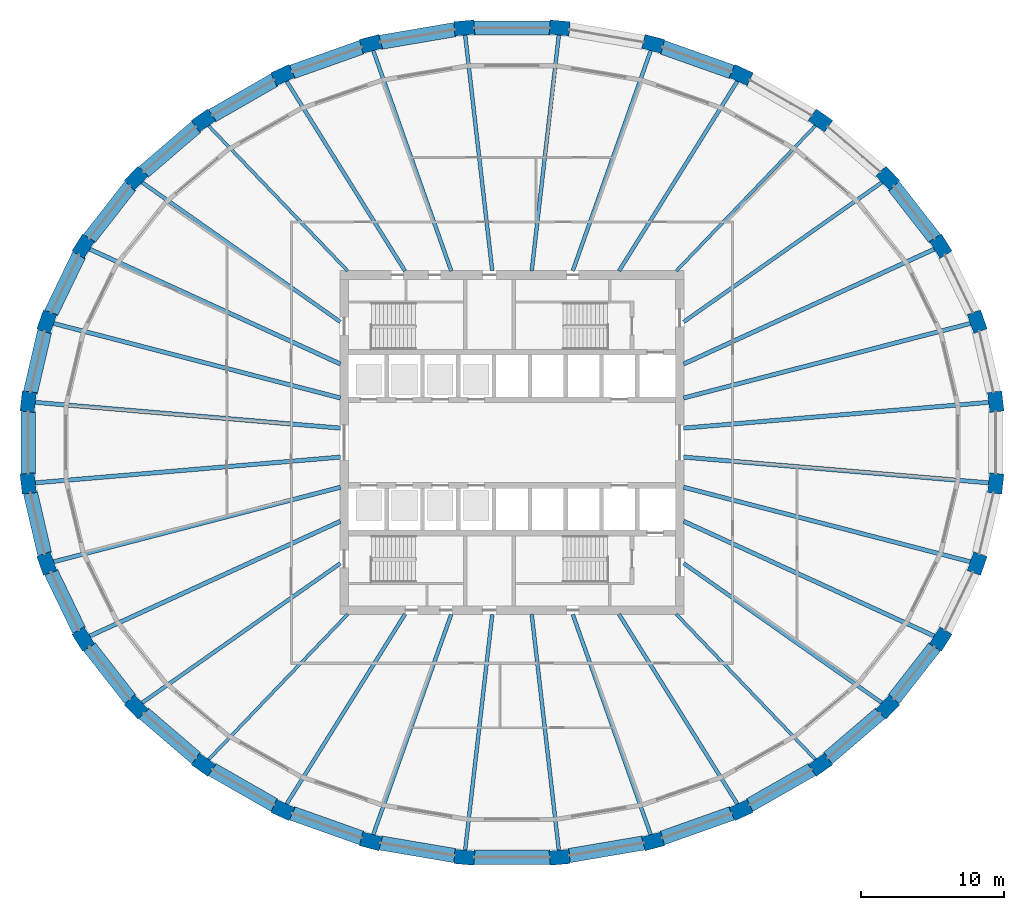
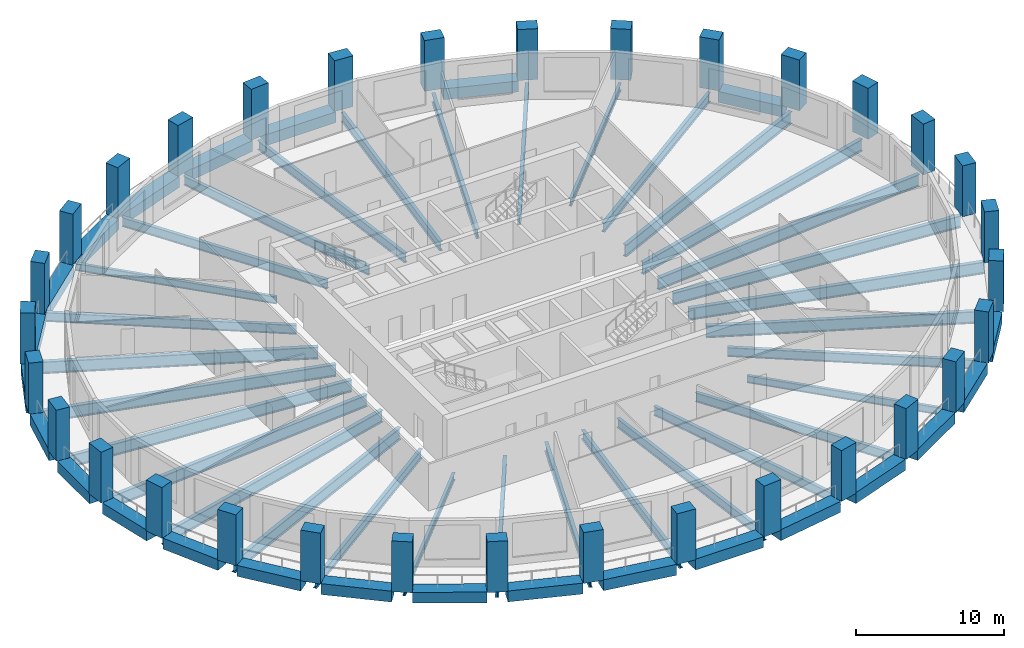
# One storey, part 1 of 10: 56 beams, 32 columns.
"""IFC4 building model written with IfcOpenShell, lengths in metres."""

from ifc_helpers import new_model, si_unit, direction, frame, origin, origin_2d, place, context, subcontext, project, spatial, rectangle, i_section, extrude, material, material_profile, profile_set, type_object, element, save


model = new_model("IFC4")

# Units and contexts
model_context = context("Model", 3, precision=1e-05, world=origin(), true_north=direction((0.0, 1.0)))
body_context = subcontext(model_context, "Body", "Model", "MODEL_VIEW")
ifc_project = project(units=[si_unit("LENGTHUNIT", "METRE"), si_unit("AREAUNIT", "SQUARE_METRE"), si_unit("VOLUMEUNIT", "CUBIC_METRE"), si_unit("PLANEANGLEUNIT", "RADIAN"), si_unit("MASSUNIT", "GRAM", prefix="KILO")], contexts=[model_context])

# Site, building, storey
site_placement = place(None, origin())
site = spatial("IfcSite", under=ifc_project, at=site_placement, CompositionType="ELEMENT")
building_placement = place(site_placement, origin())
building = spatial("IfcBuilding", under=site, at=building_placement, Name="Halqa Exchange Tower", CompositionType="ELEMENT")
storey_placement = place(building_placement, frame((0.0, 0.0, 163.300048828125)))
storey = spatial("IfcBuildingStorey", under=building, at=storey_placement, Name="L37", CompositionType="ELEMENT", Elevation=163.300048828125)

# Columns
ifc_material_1 = material(Name="Concrete C70/85", Category="concrete")
ifc_material_profile_1 = material_profile(ifc_material_1, rectangle(XDim=1.39990234375, YDim=1.0, at=origin_2d()), Name="1400 x 1000")
ifc_profile_set_1 = profile_set([ifc_material_profile_1], Name="Concrete C70/85")
column_type = type_object("IfcColumnType", Name="RC ring column 1400 x 1000 C70/85", PredefinedType="COLUMN", material=ifc_profile_set_1)
for number, where, z_axis, x_axis, name in (
    (1, (33.7578125, 2.849853515625, 0.0), (0.0, 0.0, 1.0), (-0.114155188058, 0.993462929877, 0.0), "Ring column 1"),
    (2, (32.46044921875, 8.440185546875, 0.0), (0.0, 0.0, 1.0), (-0.333634105554, 0.942702648565, 0.0), "Ring column 2"),
    (3, (29.915771484375, 13.7060546875, 0.0), (0.0, 0.0, 1.0), (-0.529143458197, 0.848532380435, 0.0), "Ring column 3"),
    (4, (26.221435546875, 18.445068359375, 0.0), (0.0, 0.0, 1.0), (-0.691578612608, 0.722301199351, 0.0), "Ring column 4"),
    (5, (21.519287109375, 22.475341796875, 0.0), (0.0, 0.0, 1.0), (-0.817910796357, 0.575345052297, 0.0), "Ring column 5"),
    (6, (15.990234375, 25.64208984375, 0.0), (0.0, 0.0, 1.0), (-0.909126368869, 0.416520402174, 0.0), "Ring column 6"),
    (7, (9.8466796875, 27.8232421875, 0.0), (0.0, 0.0, 1.0), (-0.967819503571, 0.251645402317, 0.0), "Ring column 7"),
    (8, (3.32470703125, 28.935302734375, 0.0), (0.0, 0.0, 1.0), (-0.996455225341, 0.084124811391, 0.0), "Ring column 8"),
    (9, (-3.32470703125, 28.935302734375, 0.0), (0.0, 0.0, 1.0), (-0.996455225341, -0.084124811391, 0.0), "Ring column 9"),
    (10, (-9.8466796875, 27.8232421875, 0.0), (0.0, 0.0, 1.0), (-0.967819503571, -0.251645402317, 0.0), "Ring column 10"),
    (11, (-15.990234375, 25.64208984375, 0.0), (0.0, 0.0, 1.0), (-0.909126368869, -0.416520402174, 0.0), "Ring column 11"),
    (12, (-21.519287109375, 22.475341796875, 0.0), (0.0, 0.0, 1.0), (-0.817910796357, -0.575345052297, 0.0), "Ring column 12"),
    (13, (-26.221435546875, 18.445068359375, 0.0), (0.0, 0.0, 1.0), (-0.691578612608, -0.722301199351, 0.0), "Ring column 13"),
    (14, (-29.915771484375, 13.7060546875, 0.0), (0.0, 0.0, 1.0), (-0.529143458197, -0.848532380435, 0.0), "Ring column 14"),
    (15, (-32.46044921875, 8.440185546875, 0.0), (0.0, 0.0, 1.0), (-0.333634105554, -0.942702648565, 0.0), "Ring column 15"),
    (16, (-33.7578125, 2.849853515625, 0.0), (0.0, 0.0, 1.0), (-0.114155188058, -0.993462929877, 0.0), "Ring column 16"),
    (17, (-33.7578125, -2.849853515625, 0.0), (0.0, 0.0, 1.0), (0.114155188058, -0.993462929877, 0.0), "Ring column 17"),
    (18, (-32.46044921875, -8.440185546875, 0.0), (0.0, 0.0, 1.0), (0.333634105554, -0.942702648565, 0.0), "Ring column 18"),
    (19, (-29.915771484375, -13.7060546875, 0.0), (0.0, 0.0, 1.0), (0.529143458197, -0.848532380435, 0.0), "Ring column 19"),
    (20, (-26.221435546875, -18.445068359375, 0.0), (0.0, 0.0, 1.0), (0.691578612608, -0.722301199351, 0.0), "Ring column 20"),
    (21, (-21.519287109375, -22.475341796875, 0.0), (0.0, 0.0, 1.0), (0.817910796357, -0.575345052297, 0.0), "Ring column 21"),
    (22, (-15.990234375, -25.64208984375, 0.0), (0.0, 0.0, 1.0), (0.909126368869, -0.416520402174, 0.0), "Ring column 22"),
    (23, (-9.8466796875, -27.8232421875, 0.0), (0.0, 0.0, 1.0), (0.967819503571, -0.251645402317, 0.0), "Ring column 23"),
    (24, (-3.32470703125, -28.935302734375, 0.0), (0.0, 0.0, 1.0), (0.996455225341, -0.084124811391, 0.0), "Ring column 24"),
    (25, (3.32470703125, -28.935302734375, 0.0), (0.0, 0.0, 1.0), (0.996455225341, 0.084124811391, 0.0), "Ring column 25"),
    (26, (9.8466796875, -27.8232421875, 0.0), (0.0, 0.0, 1.0), (0.967819503571, 0.251645402317, 0.0), "Ring column 26"),
    (27, (15.990234375, -25.64208984375, 0.0), (0.0, 0.0, 1.0), (0.909126368869, 0.416520402174, 0.0), "Ring column 27"),
    (28, (21.519287109375, -22.475341796875, 0.0), (0.0, 0.0, 1.0), (0.817910796357, 0.575345052297, 0.0), "Ring column 28"),
    (29, (26.221435546875, -18.445068359375, 0.0), (0.0, 0.0, 1.0), (0.691578612608, 0.722301199351, 0.0), "Ring column 29"),
    (30, (29.915771484375, -13.7060546875, 0.0), (0.0, 0.0, 1.0), (0.529143458197, 0.848532380435, 0.0), "Ring column 30"),
    (31, (32.46044921875, -8.440185546875, 0.0), (0.0, 0.0, 1.0), (0.333634105554, 0.942702648565, 0.0), "Ring column 31"),
    (32, (33.7578125, -2.849853515625, 0.0), (0.0, 0.0, 1.0), (0.114155188058, 0.993462929877, 0.0), "Ring column 32"),
):
    element("IfcColumn", number, at=place(storey_placement, frame(where, z_axis=z_axis, x_axis=x_axis)), inside=storey, type_object=column_type, Name=name, PredefinedType="COLUMN", context=body_context, shape_type="SweptSolid", body=[
        extrude(rectangle(XDim=1.39990234375, YDim=1.0, at=origin_2d()), origin(), (0.0, 0.0, 1.0), 4.199951171875),
    ])

# Beams
ifc_material_2 = material(Name="Steel S355", Category="steel")
ifc_material_profile_2 = material_profile(ifc_material_2, i_section(OverallWidth=0.300048828125, OverallDepth=0.989990234375, WebThickness=0.0166015625, FlangeThickness=0.031005859375, FilletRadius=0.030029296875, at=origin_2d()), Name="HEA 1000")
ifc_profile_set_2 = profile_set([ifc_material_profile_2], Name="Steel S355")
beam_type_1 = type_object("IfcBeamType", Name="Floor beam HEA 1000", PredefinedType="BEAM", material=ifc_profile_set_2)
beam_1_placement = place(storey_placement, frame((11.972412109375, 1.0107421875, -0.795166015625), z_axis=(0.996455470836, 0.084121903455, 0.0), x_axis=(-0.084121903455, 0.996455470836, 0.0)))
element("IfcBeam", 33, at=beam_1_placement, inside=storey, type_object=beam_type_1, Name="Radial beam 1", PredefinedType="BEAM", context=body_context, shape_type="SweptSolid", body=[
    extrude(i_section(OverallWidth=0.300048828125, OverallDepth=0.989990234375, WebThickness=0.0166015625, FlangeThickness=0.031005859375, FilletRadius=0.030029296875, at=origin_2d()), origin(), (0.0, 0.0, 1.0), 21.490966796875),
])
beam_2_placement = place(storey_placement, frame((11.97119140625, 3.11279296875, -0.795166015625), z_axis=(0.967821534715, 0.251637590478, 0.0), x_axis=(-0.251637590478, 0.967821534715, 0.0)))
element("IfcBeam", 34, at=beam_2_placement, inside=storey, type_object=beam_type_1, Name="Radial beam 2", PredefinedType="BEAM", context=body_context, shape_type="SweptSolid", body=[
    extrude(i_section(OverallWidth=0.300048828125, OverallDepth=0.989990234375, WebThickness=0.0166015625, FlangeThickness=0.031005859375, FilletRadius=0.030029296875, at=origin_2d()), origin(), (0.0, 0.0, 1.0), 20.79638671875),
])
for number, where, z_axis, x_axis, name in (
    (35, (11.972412109375, 5.4853515625, -0.795166015625), (0.909131678644, 0.416508812495, 0.0), (-0.416508812495, 0.909131678644, 0.0), "Radial beam 3"),
    (36, (-11.972412109375, 5.4853515625, -0.795166015625), (-0.909131678644, 0.416508812495, 0.0), (-0.416508812495, -0.909131678644, 0.0), "Radial beam 14"),
):
    element("IfcBeam", number, at=place(storey_placement, frame(where, z_axis=z_axis, x_axis=x_axis)), inside=storey, type_object=beam_type_1, Name=name, PredefinedType="BEAM", context=body_context, shape_type="SweptSolid", body=[
        extrude(i_section(OverallWidth=0.300048828125, OverallDepth=0.989990234375, WebThickness=0.0166015625, FlangeThickness=0.031005859375, FilletRadius=0.030029296875, at=origin_2d()), origin(), (0.0, 0.0, 1.0), 19.36083984375),
    ])
beam_3_placement = place(storey_placement, frame((-11.97119140625, 3.11279296875, -0.795166015625), z_axis=(-0.967821534715, 0.251637590478, 0.0), x_axis=(-0.251637590478, -0.967821534715, 0.0)))
element("IfcBeam", 37, at=beam_3_placement, inside=storey, type_object=beam_type_1, Name="Radial beam 15", PredefinedType="BEAM", context=body_context, shape_type="SweptSolid", body=[
    extrude(i_section(OverallWidth=0.300048828125, OverallDepth=0.989990234375, WebThickness=0.0166015625, FlangeThickness=0.031005859375, FilletRadius=0.030029296875, at=origin_2d()), origin(), (0.0, 0.0, 1.0), 20.79638671875),
])
for number, where, z_axis, x_axis, name in (
    (38, (-11.972412109375, 1.0107421875, -0.795166015625), (-0.996455470836, 0.084121903455, 0.0), (-0.084121903455, -0.996455470836, 0.0), "Radial beam 16"),
    (39, (-11.972412109375, -1.0107421875, -0.795166015625), (-0.996455470836, -0.084121903455, 0.0), (0.084121903455, -0.996455470836, 0.0), "Radial beam 17"),
):
    element("IfcBeam", number, at=place(storey_placement, frame(where, z_axis=z_axis, x_axis=x_axis)), inside=storey, type_object=beam_type_1, Name=name, PredefinedType="BEAM", context=body_context, shape_type="SweptSolid", body=[
        extrude(i_section(OverallWidth=0.300048828125, OverallDepth=0.989990234375, WebThickness=0.0166015625, FlangeThickness=0.031005859375, FilletRadius=0.030029296875, at=origin_2d()), origin(), (0.0, 0.0, 1.0), 21.490966796875),
    ])
beam_4_placement = place(storey_placement, frame((-11.97119140625, -3.11279296875, -0.795166015625), z_axis=(-0.967821534715, -0.251637590478, 0.0), x_axis=(0.251637590478, -0.967821534715, 0.0)))
element("IfcBeam", 40, at=beam_4_placement, inside=storey, type_object=beam_type_1, Name="Radial beam 18", PredefinedType="BEAM", context=body_context, shape_type="SweptSolid", body=[
    extrude(i_section(OverallWidth=0.300048828125, OverallDepth=0.989990234375, WebThickness=0.0166015625, FlangeThickness=0.031005859375, FilletRadius=0.030029296875, at=origin_2d()), origin(), (0.0, 0.0, 1.0), 20.79638671875),
])
for number, where, z_axis, x_axis, name in (
    (41, (-11.972412109375, -5.4853515625, -0.795166015625), (-0.909131678644, -0.416508812495, 0.0), (0.416508812495, -0.909131678644, 0.0), "Radial beam 19"),
    (42, (11.972412109375, -5.4853515625, -0.795166015625), (0.909131678644, -0.416508812495, 0.0), (0.416508812495, 0.909131678644, 0.0), "Radial beam 30"),
):
    element("IfcBeam", number, at=place(storey_placement, frame(where, z_axis=z_axis, x_axis=x_axis)), inside=storey, type_object=beam_type_1, Name=name, PredefinedType="BEAM", context=body_context, shape_type="SweptSolid", body=[
        extrude(i_section(OverallWidth=0.300048828125, OverallDepth=0.989990234375, WebThickness=0.0166015625, FlangeThickness=0.031005859375, FilletRadius=0.030029296875, at=origin_2d()), origin(), (0.0, 0.0, 1.0), 19.36083984375),
    ])
beam_5_placement = place(storey_placement, frame((11.97119140625, -3.11279296875, -0.795166015625), z_axis=(0.967821534715, -0.251637590478, 0.0), x_axis=(0.251637590478, 0.967821534715, 0.0)))
element("IfcBeam", 43, at=beam_5_placement, inside=storey, type_object=beam_type_1, Name="Radial beam 31", PredefinedType="BEAM", context=body_context, shape_type="SweptSolid", body=[
    extrude(i_section(OverallWidth=0.300048828125, OverallDepth=0.989990234375, WebThickness=0.0166015625, FlangeThickness=0.031005859375, FilletRadius=0.030029296875, at=origin_2d()), origin(), (0.0, 0.0, 1.0), 20.79638671875),
])
beam_6_placement = place(storey_placement, frame((11.972412109375, -1.0107421875, -0.795166015625), z_axis=(0.996455470836, -0.084121903455, 0.0), x_axis=(0.084121903455, 0.996455470836, 0.0)))
element("IfcBeam", 44, at=beam_6_placement, inside=storey, type_object=beam_type_1, Name="Radial beam 32", PredefinedType="BEAM", context=body_context, shape_type="SweptSolid", body=[
    extrude(i_section(OverallWidth=0.300048828125, OverallDepth=0.989990234375, WebThickness=0.0166015625, FlangeThickness=0.031005859375, FilletRadius=0.030029296875, at=origin_2d()), origin(), (0.0, 0.0, 1.0), 21.490966796875),
])
ifc_material_profile_3 = material_profile(ifc_material_2, i_section(OverallWidth=0.219970703125, OverallDepth=0.60009765625, WebThickness=0.011962890625, FlangeThickness=0.01904296875, FilletRadius=0.02392578125, at=origin_2d()), Name="IPE 600")
ifc_profile_set_3 = profile_set([ifc_material_profile_3], Name="Steel S355")
beam_type_2 = type_object("IfcBeamType", Name="Floor beam IPE 600", PredefinedType="BEAM", material=ifc_profile_set_3)
for number, where, z_axis, x_axis, name in (
    (45, (11.463134765625, 11.972412109375, -0.60009765625), (0.69157436899, 0.722305262445, 0.0), (-0.722305262445, 0.69157436899, 0.0), "Radial beam 5"),
    (46, (-11.463134765625, 11.972412109375, -0.60009765625), (-0.69157436899, 0.722305262445, 0.0), (-0.722305262445, -0.69157436899, 0.0), "Radial beam 12"),
    (47, (-11.463134765625, -11.972412109375, -0.60009765625), (-0.69157436899, -0.722305262445, 0.0), (0.722305262445, -0.69157436899, 0.0), "Radial beam 21"),
    (48, (11.463134765625, -11.972412109375, -0.60009765625), (0.69157436899, -0.722305262445, 0.0), (0.722305262445, 0.69157436899, 0.0), "Radial beam 28"),
):
    element("IfcBeam", number, at=place(storey_placement, frame(where, z_axis=z_axis, x_axis=x_axis)), inside=storey, type_object=beam_type_2, Name=name, PredefinedType="BEAM", context=body_context, shape_type="SweptSolid", body=[
        extrude(i_section(OverallWidth=0.219970703125, OverallDepth=0.60009765625, WebThickness=0.011962890625, FlangeThickness=0.01904296875, FilletRadius=0.02392578125, at=origin_2d()), origin(), (0.0, 0.0, 1.0), 14.1650390625),
    ])
ifc_material_profile_4 = material_profile(ifc_material_2, i_section(OverallWidth=0.264892578125, OverallDepth=0.7529296875, WebThickness=0.01318359375, FlangeThickness=0.01708984375, FilletRadius=0.01708984375, at=origin_2d()), Name="IPE 750x147")
ifc_profile_set_4 = profile_set([ifc_material_profile_4], Name="Steel S355")
beam_type_3 = type_object("IfcBeamType", Name="Floor beam IPE 750x147", PredefinedType="BEAM", material=ifc_profile_set_4)
beam_7_placement = place(storey_placement, frame((11.97216796875, 8.421630859375, -0.676513671875), z_axis=(0.817907520887, 0.575349708678, 0.0), x_axis=(-0.575349708678, 0.817907520887, 0.0)))
element("IfcBeam", 49, at=beam_7_placement, inside=storey, type_object=beam_type_3, Name="Radial beam 4", PredefinedType="BEAM", context=body_context, shape_type="SweptSolid", body=[
    extrude(i_section(OverallWidth=0.264892578125, OverallDepth=0.7529296875, WebThickness=0.01318359375, FlangeThickness=0.01708984375, FilletRadius=0.01708984375, at=origin_2d()), origin(), (0.0, 0.0, 1.0), 17.04541015625),
])
beam_8_placement = place(storey_placement, frame((7.466064453125, 11.972412109375, -0.676513671875), z_axis=(0.529133889927, 0.848538347119, 0.0), x_axis=(-0.848538347119, 0.529133889927, 0.0)))
element("IfcBeam", 50, at=beam_8_placement, inside=storey, type_object=beam_type_3, Name="Radial beam 6", PredefinedType="BEAM", context=body_context, shape_type="SweptSolid", body=[
    extrude(i_section(OverallWidth=0.264892578125, OverallDepth=0.7529296875, WebThickness=0.01318359375, FlangeThickness=0.01708984375, FilletRadius=0.01708984375, at=origin_2d()), origin(), (0.0, 0.0, 1.0), 15.733642578125),
])
beam_9_placement = place(storey_placement, frame((4.23681640625, 11.9716796875, -0.676513671875), z_axis=(0.333623926377, 0.942706251039, 0.0), x_axis=(-0.942706251039, 0.333623926377, 0.0)))
element("IfcBeam", 51, at=beam_9_placement, inside=storey, type_object=beam_type_3, Name="Radial beam 7", PredefinedType="BEAM", context=body_context, shape_type="SweptSolid", body=[
    extrude(i_section(OverallWidth=0.264892578125, OverallDepth=0.7529296875, WebThickness=0.01318359375, FlangeThickness=0.01708984375, FilletRadius=0.01708984375, at=origin_2d()), origin(), (0.0, 0.0, 1.0), 16.44091796875),
])
for number, where, z_axis, x_axis, name in (
    (52, (1.375732421875, 11.972900390625, -0.676513671875), (0.114148055141, 0.993463749468, 0.0), (-0.993463749468, 0.114148055141, 0.0), "Radial beam 8"),
    (53, (-1.375732421875, 11.972900390625, -0.676513671875), (-0.114148055141, 0.993463749468, 0.0), (-0.993463749468, -0.114148055141, 0.0), "Radial beam 9"),
):
    element("IfcBeam", number, at=place(storey_placement, frame(where, z_axis=z_axis, x_axis=x_axis)), inside=storey, type_object=beam_type_3, Name=name, PredefinedType="BEAM", context=body_context, shape_type="SweptSolid", body=[
        extrude(i_section(OverallWidth=0.264892578125, OverallDepth=0.7529296875, WebThickness=0.01318359375, FlangeThickness=0.01708984375, FilletRadius=0.01708984375, at=origin_2d()), origin(), (0.0, 0.0, 1.0), 16.701904296875),
    ])
beam_10_placement = place(storey_placement, frame((-4.23681640625, 11.9716796875, -0.676513671875), z_axis=(-0.333623926377, 0.942706251039, 0.0), x_axis=(-0.942706251039, -0.333623926377, 0.0)))
element("IfcBeam", 54, at=beam_10_placement, inside=storey, type_object=beam_type_3, Name="Radial beam 10", PredefinedType="BEAM", context=body_context, shape_type="SweptSolid", body=[
    extrude(i_section(OverallWidth=0.264892578125, OverallDepth=0.7529296875, WebThickness=0.01318359375, FlangeThickness=0.01708984375, FilletRadius=0.01708984375, at=origin_2d()), origin(), (0.0, 0.0, 1.0), 16.44091796875),
])
beam_11_placement = place(storey_placement, frame((-7.466064453125, 11.972412109375, -0.676513671875), z_axis=(-0.529133889927, 0.848538347119, 0.0), x_axis=(-0.848538347119, -0.529133889927, 0.0)))
element("IfcBeam", 55, at=beam_11_placement, inside=storey, type_object=beam_type_3, Name="Radial beam 11", PredefinedType="BEAM", context=body_context, shape_type="SweptSolid", body=[
    extrude(i_section(OverallWidth=0.264892578125, OverallDepth=0.7529296875, WebThickness=0.01318359375, FlangeThickness=0.01708984375, FilletRadius=0.01708984375, at=origin_2d()), origin(), (0.0, 0.0, 1.0), 15.733642578125),
])
for number, where, z_axis, x_axis, name in (
    (56, (-11.97216796875, 8.421630859375, -0.676513671875), (-0.817907520887, 0.575349708678, 0.0), (-0.575349708678, -0.817907520887, 0.0), "Radial beam 13"),
    (57, (-11.97216796875, -8.421630859375, -0.676513671875), (-0.817907520887, -0.575349708678, 0.0), (0.575349708678, -0.817907520887, 0.0), "Radial beam 20"),
):
    element("IfcBeam", number, at=place(storey_placement, frame(where, z_axis=z_axis, x_axis=x_axis)), inside=storey, type_object=beam_type_3, Name=name, PredefinedType="BEAM", context=body_context, shape_type="SweptSolid", body=[
        extrude(i_section(OverallWidth=0.264892578125, OverallDepth=0.7529296875, WebThickness=0.01318359375, FlangeThickness=0.01708984375, FilletRadius=0.01708984375, at=origin_2d()), origin(), (0.0, 0.0, 1.0), 17.04541015625),
    ])
beam_12_placement = place(storey_placement, frame((-7.466064453125, -11.972412109375, -0.676513671875), z_axis=(-0.529133889927, -0.848538347119, 0.0), x_axis=(0.848538347119, -0.529133889927, 0.0)))
element("IfcBeam", 58, at=beam_12_placement, inside=storey, type_object=beam_type_3, Name="Radial beam 22", PredefinedType="BEAM", context=body_context, shape_type="SweptSolid", body=[
    extrude(i_section(OverallWidth=0.264892578125, OverallDepth=0.7529296875, WebThickness=0.01318359375, FlangeThickness=0.01708984375, FilletRadius=0.01708984375, at=origin_2d()), origin(), (0.0, 0.0, 1.0), 15.733642578125),
])
beam_13_placement = place(storey_placement, frame((-4.23681640625, -11.9716796875, -0.676513671875), z_axis=(-0.333623926377, -0.942706251039, 0.0), x_axis=(0.942706251039, -0.333623926377, 0.0)))
element("IfcBeam", 59, at=beam_13_placement, inside=storey, type_object=beam_type_3, Name="Radial beam 23", PredefinedType="BEAM", context=body_context, shape_type="SweptSolid", body=[
    extrude(i_section(OverallWidth=0.264892578125, OverallDepth=0.7529296875, WebThickness=0.01318359375, FlangeThickness=0.01708984375, FilletRadius=0.01708984375, at=origin_2d()), origin(), (0.0, 0.0, 1.0), 16.44091796875),
])
for number, where, z_axis, x_axis, name in (
    (60, (-1.375732421875, -11.972900390625, -0.676513671875), (-0.114148055141, -0.993463749468, 0.0), (0.993463749468, -0.114148055141, 0.0), "Radial beam 24"),
    (61, (1.375732421875, -11.972900390625, -0.676513671875), (0.114148055141, -0.993463749468, 0.0), (0.993463749468, 0.114148055141, 0.0), "Radial beam 25"),
):
    element("IfcBeam", number, at=place(storey_placement, frame(where, z_axis=z_axis, x_axis=x_axis)), inside=storey, type_object=beam_type_3, Name=name, PredefinedType="BEAM", context=body_context, shape_type="SweptSolid", body=[
        extrude(i_section(OverallWidth=0.264892578125, OverallDepth=0.7529296875, WebThickness=0.01318359375, FlangeThickness=0.01708984375, FilletRadius=0.01708984375, at=origin_2d()), origin(), (0.0, 0.0, 1.0), 16.701904296875),
    ])
beam_14_placement = place(storey_placement, frame((4.23681640625, -11.9716796875, -0.676513671875), z_axis=(0.333623926377, -0.942706251039, 0.0), x_axis=(0.942706251039, 0.333623926377, 0.0)))
element("IfcBeam", 62, at=beam_14_placement, inside=storey, type_object=beam_type_3, Name="Radial beam 26", PredefinedType="BEAM", context=body_context, shape_type="SweptSolid", body=[
    extrude(i_section(OverallWidth=0.264892578125, OverallDepth=0.7529296875, WebThickness=0.01318359375, FlangeThickness=0.01708984375, FilletRadius=0.01708984375, at=origin_2d()), origin(), (0.0, 0.0, 1.0), 16.44091796875),
])
beam_15_placement = place(storey_placement, frame((7.466064453125, -11.972412109375, -0.676513671875), z_axis=(0.529133889927, -0.848538347119, 0.0), x_axis=(0.848538347119, 0.529133889927, 0.0)))
element("IfcBeam", 63, at=beam_15_placement, inside=storey, type_object=beam_type_3, Name="Radial beam 27", PredefinedType="BEAM", context=body_context, shape_type="SweptSolid", body=[
    extrude(i_section(OverallWidth=0.264892578125, OverallDepth=0.7529296875, WebThickness=0.01318359375, FlangeThickness=0.01708984375, FilletRadius=0.01708984375, at=origin_2d()), origin(), (0.0, 0.0, 1.0), 15.733642578125),
])
beam_16_placement = place(storey_placement, frame((11.97216796875, -8.421630859375, -0.676513671875), z_axis=(0.817907520887, -0.575349708678, 0.0), x_axis=(0.575349708678, 0.817907520887, 0.0)))
element("IfcBeam", 64, at=beam_16_placement, inside=storey, type_object=beam_type_3, Name="Radial beam 29", PredefinedType="BEAM", context=body_context, shape_type="SweptSolid", body=[
    extrude(i_section(OverallWidth=0.264892578125, OverallDepth=0.7529296875, WebThickness=0.01318359375, FlangeThickness=0.01708984375, FilletRadius=0.01708984375, at=origin_2d()), origin(), (0.0, 0.0, 1.0), 17.04541015625),
])
ifc_material_3 = material(Name="Concrete C60/75", Category="concrete")
ifc_material_profile_5 = material_profile(ifc_material_3, rectangle(XDim=1.0, YDim=0.89990234375, at=origin_2d()), Name="1000 x 900")
ifc_profile_set_5 = profile_set([ifc_material_profile_5], Name="Concrete C60/75")
beam_type_4 = type_object("IfcBeamType", Name="RC spandrel beam 1000 x 900 C60/75", PredefinedType="SPANDREL", material=ifc_profile_set_5)
beam_17_placement = place(storey_placement, frame((29.500244140625, 14.239013671875, -0.449951171875), z_axis=(-0.614796515977, 0.78868577009, 0.0), x_axis=(-0.78868577009, -0.614796515977, 0.0)))
element("IfcBeam", 65, at=beam_17_placement, inside=storey, type_object=beam_type_4, Name="Spandrel 3", PredefinedType="SPANDREL", context=body_context, shape_type="SweptSolid", body=[
    extrude(rectangle(XDim=1.0, YDim=0.89990234375, at=origin_2d()), origin(), (0.0, 0.0, 1.0), 4.658447265625),
])
beam_18_placement = place(storey_placement, frame((15.354248046875, 25.867919921875, -0.449951171875), z_axis=(-0.942370602203, 0.334570841682, 0.0), x_axis=(-0.334570841682, -0.942370602203, 0.0)))
element("IfcBeam", 66, at=beam_18_placement, inside=storey, type_object=beam_type_4, Name="Spandrel 6", PredefinedType="SPANDREL", context=body_context, shape_type="SweptSolid", body=[
    extrude(rectangle(XDim=1.0, YDim=0.89990234375, at=origin_2d()), origin(), (0.0, 0.0, 1.0), 5.169921875),
])
beam_19_placement = place(storey_placement, frame((2.649658203125, 28.935302734375, -0.449951171875), z_axis=(-1.0, 0.0, 0.0), x_axis=(0.0, -1.0, 0.0)))
element("IfcBeam", 67, at=beam_19_placement, inside=storey, type_object=beam_type_4, Name="Spandrel 8", PredefinedType="SPANDREL", context=body_context, shape_type="SweptSolid", body=[
    extrude(rectangle(XDim=1.0, YDim=0.89990234375, at=origin_2d()), origin(), (0.0, 0.0, 1.0), 5.29931640625),
])
beam_20_placement = place(storey_placement, frame((-3.990478515625, 28.82177734375, -0.449951171875), z_axis=(-0.985766792744, -0.168118500836, 0.0), x_axis=(0.168118500836, -0.985766792744, 0.0)))
element("IfcBeam", 68, at=beam_20_placement, inside=storey, type_object=beam_type_4, Name="Spandrel 9", PredefinedType="SPANDREL", context=body_context, shape_type="SweptSolid", body=[
    extrude(rectangle(XDim=1.0, YDim=0.89990234375, at=origin_2d()), origin(), (0.0, 0.0, 1.0), 5.26708984375),
])
beam_21_placement = place(storey_placement, frame((-10.482177734375, 27.59765625, -0.449951171875), z_axis=(-0.942370602203, -0.334570841682, 0.0), x_axis=(0.334570841682, -0.942370602203, 0.0)))
element("IfcBeam", 69, at=beam_21_placement, inside=storey, type_object=beam_type_4, Name="Spandrel 10", PredefinedType="SPANDREL", context=body_context, shape_type="SweptSolid", body=[
    extrude(rectangle(XDim=1.0, YDim=0.89990234375, at=origin_2d()), origin(), (0.0, 0.0, 1.0), 5.169921875),
])
beam_22_placement = place(storey_placement, frame((-16.5751953125, 25.30712890625, -0.449951171875), z_axis=(-0.867743165303, -0.497012876161, 0.0), x_axis=(0.497012876161, -0.867743165303, 0.0)))
element("IfcBeam", 70, at=beam_22_placement, inside=storey, type_object=beam_type_4, Name="Spandrel 11", PredefinedType="SPANDREL", context=body_context, shape_type="SweptSolid", body=[
    extrude(rectangle(XDim=1.0, YDim=0.89990234375, at=origin_2d()), origin(), (0.0, 0.0, 1.0), 5.022705078125),
])
beam_23_placement = place(storey_placement, frame((-22.031005859375, 22.03662109375, -0.449951171875), z_axis=(-0.759260160399, -0.650787222394, 0.0), x_axis=(0.650787222394, -0.759260160399, 0.0)))
element("IfcBeam", 71, at=beam_23_placement, inside=storey, type_object=beam_type_4, Name="Spandrel 12", PredefinedType="SPANDREL", context=body_context, shape_type="SweptSolid", body=[
    extrude(rectangle(XDim=1.0, YDim=0.89990234375, at=origin_2d()), origin(), (0.0, 0.0, 1.0), 4.843505859375),
])
beam_24_placement = place(storey_placement, frame((-26.63623046875, 17.9130859375, -0.449951171875), z_axis=(-0.614796515977, -0.78868577009, 0.0), x_axis=(0.78868577009, -0.614796515977, 0.0)))
element("IfcBeam", 72, at=beam_24_placement, inside=storey, type_object=beam_type_4, Name="Spandrel 13", PredefinedType="SPANDREL", context=body_context, shape_type="SweptSolid", body=[
    extrude(rectangle(XDim=1.0, YDim=0.89990234375, at=origin_2d()), origin(), (0.0, 0.0, 1.0), 4.658447265625),
])
beam_25_placement = place(storey_placement, frame((-30.20947265625, 13.09814453125, -0.449951171875), z_axis=(-0.435099717308, -0.900382272148, 0.0), x_axis=(0.900382272148, -0.435099717308, 0.0)))
element("IfcBeam", 73, at=beam_25_placement, inside=storey, type_object=beam_type_4, Name="Spandrel 14", PredefinedType="SPANDREL", context=body_context, shape_type="SweptSolid", body=[
    extrude(rectangle(XDim=1.0, YDim=0.89990234375, at=origin_2d()), origin(), (0.0, 0.0, 1.0), 4.497314453125),
])
beam_26_placement = place(storey_placement, frame((-32.613525390625, 7.780517578125, -0.449951171875), z_axis=(-0.226050480348, -0.974115588795, 0.0), x_axis=(0.974115588795, -0.226050480348, 0.0)))
element("IfcBeam", 74, at=beam_26_placement, inside=storey, type_object=beam_type_4, Name="Spandrel 15", PredefinedType="SPANDREL", context=body_context, shape_type="SweptSolid", body=[
    extrude(rectangle(XDim=1.0, YDim=0.89990234375, at=origin_2d()), origin(), (0.0, 0.0, 1.0), 4.385986328125),
])
beam_27_placement = place(storey_placement, frame((-33.7578125, 2.173828125, -0.449951171875), z_axis=(0.0, -1.0, 0.0), x_axis=(1.0, 0.0, 0.0)))
element("IfcBeam", 75, at=beam_27_placement, inside=storey, type_object=beam_type_4, Name="Spandrel 16", PredefinedType="SPANDREL", context=body_context, shape_type="SweptSolid", body=[
    extrude(rectangle(XDim=1.0, YDim=0.89990234375, at=origin_2d()), origin(), (0.0, 0.0, 1.0), 4.34765625),
])
beam_28_placement = place(storey_placement, frame((-33.60498046875, -3.508056640625, -0.449951171875), z_axis=(0.226050480348, -0.974115588795, 0.0), x_axis=(0.974115588795, 0.226050480348, 0.0)))
element("IfcBeam", 76, at=beam_28_placement, inside=storey, type_object=beam_type_4, Name="Spandrel 17", PredefinedType="SPANDREL", context=body_context, shape_type="SweptSolid", body=[
    extrude(rectangle(XDim=1.0, YDim=0.89990234375, at=origin_2d()), origin(), (0.0, 0.0, 1.0), 4.385986328125),
])
beam_29_placement = place(storey_placement, frame((-32.166259765625, -9.048828125, -0.449951171875), z_axis=(0.435099717308, -0.900382272148, 0.0), x_axis=(0.900382272148, 0.435099717308, 0.0)))
element("IfcBeam", 77, at=beam_29_placement, inside=storey, type_object=beam_type_4, Name="Spandrel 18", PredefinedType="SPANDREL", context=body_context, shape_type="SweptSolid", body=[
    extrude(rectangle(XDim=1.0, YDim=0.89990234375, at=origin_2d()), origin(), (0.0, 0.0, 1.0), 4.497314453125),
])
beam_30_placement = place(storey_placement, frame((-29.500244140625, -14.239013671875, -0.449951171875), z_axis=(0.614796515977, -0.78868577009, 0.0), x_axis=(0.78868577009, 0.614796515977, 0.0)))
element("IfcBeam", 78, at=beam_30_placement, inside=storey, type_object=beam_type_4, Name="Spandrel 19", PredefinedType="SPANDREL", context=body_context, shape_type="SweptSolid", body=[
    extrude(rectangle(XDim=1.0, YDim=0.89990234375, at=origin_2d()), origin(), (0.0, 0.0, 1.0), 4.658447265625),
])
beam_31_placement = place(storey_placement, frame((-25.70849609375, -18.884521484375, -0.449951171875), z_axis=(0.759260160399, -0.650787222394, 0.0), x_axis=(0.650787222394, 0.759260160399, 0.0)))
element("IfcBeam", 79, at=beam_31_placement, inside=storey, type_object=beam_type_4, Name="Spandrel 20", PredefinedType="SPANDREL", context=body_context, shape_type="SweptSolid", body=[
    extrude(rectangle(XDim=1.0, YDim=0.89990234375, at=origin_2d()), origin(), (0.0, 0.0, 1.0), 4.843505859375),
])
beam_32_placement = place(storey_placement, frame((-20.93359375, -22.810791015625, -0.449951171875), z_axis=(0.867743165303, -0.497012876161, 0.0), x_axis=(0.497012876161, 0.867743165303, 0.0)))
element("IfcBeam", 80, at=beam_32_placement, inside=storey, type_object=beam_type_4, Name="Spandrel 21", PredefinedType="SPANDREL", context=body_context, shape_type="SweptSolid", body=[
    extrude(rectangle(XDim=1.0, YDim=0.89990234375, at=origin_2d()), origin(), (0.0, 0.0, 1.0), 5.022705078125),
])
beam_33_placement = place(storey_placement, frame((-15.354248046875, -25.867919921875, -0.449951171875), z_axis=(0.942370602203, -0.334570841682, 0.0), x_axis=(0.334570841682, 0.942370602203, 0.0)))
element("IfcBeam", 81, at=beam_33_placement, inside=storey, type_object=beam_type_4, Name="Spandrel 22", PredefinedType="SPANDREL", context=body_context, shape_type="SweptSolid", body=[
    extrude(rectangle(XDim=1.0, YDim=0.89990234375, at=origin_2d()), origin(), (0.0, 0.0, 1.0), 5.169921875),
])
beam_34_placement = place(storey_placement, frame((-9.1826171875, -27.936279296875, -0.449951171875), z_axis=(0.985766792744, -0.168118500836, 0.0), x_axis=(0.168118500836, 0.985766792744, 0.0)))
element("IfcBeam", 82, at=beam_34_placement, inside=storey, type_object=beam_type_4, Name="Spandrel 23", PredefinedType="SPANDREL", context=body_context, shape_type="SweptSolid", body=[
    extrude(rectangle(XDim=1.0, YDim=0.89990234375, at=origin_2d()), origin(), (0.0, 0.0, 1.0), 5.26708984375),
])
beam_35_placement = place(storey_placement, frame((-2.649658203125, -28.935302734375, -0.449951171875), z_axis=(1.0, 0.0, 0.0), x_axis=(0.0, 1.0, 0.0)))
element("IfcBeam", 83, at=beam_35_placement, inside=storey, type_object=beam_type_4, Name="Spandrel 24", PredefinedType="SPANDREL", context=body_context, shape_type="SweptSolid", body=[
    extrude(rectangle(XDim=1.0, YDim=0.89990234375, at=origin_2d()), origin(), (0.0, 0.0, 1.0), 5.29931640625),
])
beam_36_placement = place(storey_placement, frame((3.990478515625, -28.82177734375, -0.449951171875), z_axis=(0.985766792744, 0.168118500836, 0.0), x_axis=(-0.168118500836, 0.985766792744, 0.0)))
element("IfcBeam", 84, at=beam_36_placement, inside=storey, type_object=beam_type_4, Name="Spandrel 25", PredefinedType="SPANDREL", context=body_context, shape_type="SweptSolid", body=[
    extrude(rectangle(XDim=1.0, YDim=0.89990234375, at=origin_2d()), origin(), (0.0, 0.0, 1.0), 5.26708984375),
])
beam_37_placement = place(storey_placement, frame((10.482177734375, -27.59765625, -0.449951171875), z_axis=(0.942370602203, 0.334570841682, 0.0), x_axis=(-0.334570841682, 0.942370602203, 0.0)))
element("IfcBeam", 85, at=beam_37_placement, inside=storey, type_object=beam_type_4, Name="Spandrel 26", PredefinedType="SPANDREL", context=body_context, shape_type="SweptSolid", body=[
    extrude(rectangle(XDim=1.0, YDim=0.89990234375, at=origin_2d()), origin(), (0.0, 0.0, 1.0), 5.169921875),
])
beam_38_placement = place(storey_placement, frame((16.5751953125, -25.30712890625, -0.449951171875), z_axis=(0.867743165303, 0.497012876161, 0.0), x_axis=(-0.497012876161, 0.867743165303, 0.0)))
element("IfcBeam", 86, at=beam_38_placement, inside=storey, type_object=beam_type_4, Name="Spandrel 27", PredefinedType="SPANDREL", context=body_context, shape_type="SweptSolid", body=[
    extrude(rectangle(XDim=1.0, YDim=0.89990234375, at=origin_2d()), origin(), (0.0, 0.0, 1.0), 5.022705078125),
])
beam_39_placement = place(storey_placement, frame((22.031005859375, -22.03662109375, -0.449951171875), z_axis=(0.759260160399, 0.650787222394, 0.0), x_axis=(-0.650787222394, 0.759260160399, 0.0)))
element("IfcBeam", 87, at=beam_39_placement, inside=storey, type_object=beam_type_4, Name="Spandrel 28", PredefinedType="SPANDREL", context=body_context, shape_type="SweptSolid", body=[
    extrude(rectangle(XDim=1.0, YDim=0.89990234375, at=origin_2d()), origin(), (0.0, 0.0, 1.0), 4.843505859375),
])
beam_40_placement = place(storey_placement, frame((26.63623046875, -17.9130859375, -0.449951171875), z_axis=(0.614796515977, 0.78868577009, 0.0), x_axis=(-0.78868577009, 0.614796515977, 0.0)))
element("IfcBeam", 88, at=beam_40_placement, inside=storey, type_object=beam_type_4, Name="Spandrel 29", PredefinedType="SPANDREL", context=body_context, shape_type="SweptSolid", body=[
    extrude(rectangle(XDim=1.0, YDim=0.89990234375, at=origin_2d()), origin(), (0.0, 0.0, 1.0), 4.658447265625),
])

save(model, "model.ifc")
